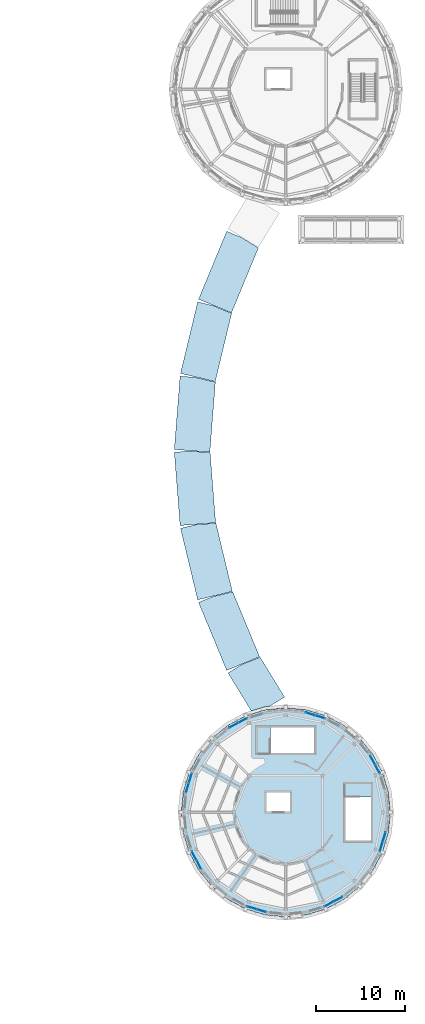
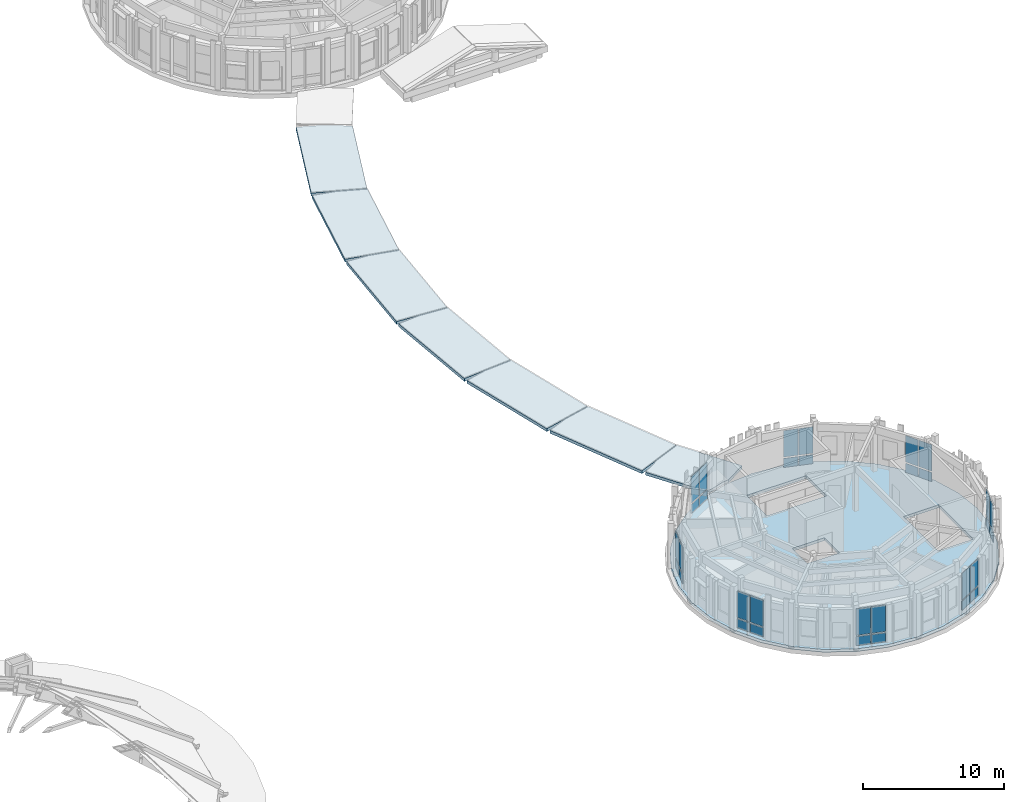
# One storey, part 24 of 58: 32 plates, 8 slabs, 8 elements without a shape of their own.
"""IFC4 building model written with IfcOpenShell, lengths in metres."""

import ifcopenshell
import ifcopenshell.guid

model = None  # the IFC model being written
_history = None  # IfcOwnerHistory: only IFC2X3 demands one
_inside = {}  # id of a spatial element -> (the spatial element, [elements in it])
_under = {}  # id of a project, library or spatial element -> (it, [spatial elements below it])
_declared = {}  # id of a project -> (the project, [libraries it declares])
_typed = {}  # id of a type object -> (the type object, [elements of that type])
_made_of = {}  # id of a material, layer set ... -> (it, [elements and type objects made of it])


def new_model(schema):
    """Start an empty IFC model of exactly this schema.

    Asked for "IFC4X3", IfcOpenShell would pick the latest addendum, in which some entities
    have other attributes; the version numbers below select the first issue.
    IFC2X3 requires an IfcOwnerHistory on every rooted entity: one is made here for all.
    """
    global model, _history
    if schema == "IFC4X3":
        model = ifcopenshell.file(schema_version=(4, 3, 0, 0))
    else:
        model = ifcopenshell.file(schema=schema)
    _inside.clear()
    _under.clear()
    _declared.clear()
    _typed.clear()
    _made_of.clear()
    _history = None
    if model.schema == "IFC2X3":
        org = make("IfcOrganization", Name="unknown")
        user = make(
            "IfcPersonAndOrganization",
            ThePerson=make("IfcPerson", FamilyName="unknown"),
            TheOrganization=org,
        )
        app = make(
            "IfcApplication",
            ApplicationDeveloper=org,
            Version="unknown",
            ApplicationFullName="unknown",
            ApplicationIdentifier="unknown",
        )
        _history = make(
            "IfcOwnerHistory",
            OwningUser=user,
            OwningApplication=app,
            ChangeAction="ADDED",
            CreationDate=0,
        )
    return model


def make(cls, **values):
    """One entity of the class cls with the attributes given. An attribute that is None is left unset."""
    return model.create_entity(
        cls, **{name: value for name, value in values.items() if value is not None}
    )


def rooted(cls, **values):
    """An entity with a GlobalId (a new one), such as an element, a storey or a relation."""
    return make(cls, GlobalId=ifcopenshell.guid.new(), OwnerHistory=_history, **values)


def si_unit(unit_type, name, prefix=None):
    """IfcSIUnit, for example si_unit("LENGTHUNIT", "METRE", prefix="MILLI")."""
    return make("IfcSIUnit", UnitType=unit_type, Prefix=prefix, Name=name)


def assignment(units):
    """IfcUnitAssignment: the units of a project."""
    return None if units is None else make("IfcUnitAssignment", Units=units)


def point(xyz):
    """IfcCartesianPoint."""
    return None if xyz is None else make("IfcCartesianPoint", Coordinates=xyz)


def direction(xyz):
    """IfcDirection."""
    return None if xyz is None else make("IfcDirection", DirectionRatios=xyz)


def frame(location, z_axis=None, x_axis=None):
    """IfcAxis2Placement3D, a coordinate frame: its origin and axes. An axis left out is left unset."""
    return make(
        "IfcAxis2Placement3D",
        Location=point(location),
        Axis=direction(z_axis),
        RefDirection=direction(x_axis),
    )


def frame_2d(location, x_axis=None):
    """IfcAxis2Placement2D, a coordinate frame in the plane: its origin and x axis."""
    return make(
        "IfcAxis2Placement2D", Location=point(location), RefDirection=direction(x_axis)
    )


def origin():
    """The frame at (0, 0, 0) with its axes left unset."""
    return frame((0.0, 0.0, 0.0))


def origin_2d():
    """The frame at (0, 0) in the plane with its x axis left unset."""
    return frame_2d((0.0, 0.0))


def place(relative_to, where):
    """IfcLocalPlacement: puts the frame where relative to a parent placement (None: the world)."""
    return make(
        "IfcLocalPlacement", PlacementRelTo=relative_to, RelativePlacement=where
    )


def context(
    kind, dimensions, precision=None, world=None, true_north=None, identifier=None
):
    """IfcGeometricRepresentationContext, for example the 3D "Model" context."""
    return make(
        "IfcGeometricRepresentationContext",
        ContextIdentifier=identifier,
        ContextType=kind,
        CoordinateSpaceDimension=dimensions,
        Precision=precision,
        WorldCoordinateSystem=world,
        TrueNorth=true_north,
    )


def subcontext(parent, identifier, kind, view, scale=None):
    """IfcGeometricRepresentationSubContext, for example "Body" below "Model"."""
    return make(
        "IfcGeometricRepresentationSubContext",
        ContextIdentifier=identifier,
        ContextType=kind,
        ParentContext=parent,
        TargetScale=scale,
        TargetView=view,
    )


def project(units=None, contexts=None):
    """IfcProject with its units and contexts."""
    return rooted(
        "IfcProject",
        Name="project",
        RepresentationContexts=contexts,
        UnitsInContext=assignment(units),
    )


def spatial(cls, under=None, at=None, **own):
    """A site, building, storey or space (cls), placed at a placement, below another one or the project."""
    s = rooted(cls, ObjectPlacement=at, **own)
    if under is not None:
        _under.setdefault(under.id(), (under, []))[1].append(s)
    return s


def polyline(points):
    """IfcPolyline through the points."""
    return make("IfcPolyline", Points=[point(p) for p in points])


def profile(cls, at=None, kind="AREA", **sizes):
    """A parametric profile (cls). Its sizes go by their IFC names, for example OverallWidth=200.0."""
    return make(cls, ProfileType=kind, Position=at, **sizes)


def rectangle(**sizes):
    """IfcRectangleProfileDef."""
    return profile("IfcRectangleProfileDef", **sizes)


def outline(outer, holes=None, kind="AREA"):
    """IfcArbitraryClosedProfileDef: a profile drawn as a closed curve; with holes, ...WithVoids."""
    if holes is None:
        return make("IfcArbitraryClosedProfileDef", ProfileType=kind, OuterCurve=outer)
    return make(
        "IfcArbitraryProfileDefWithVoids",
        ProfileType=kind,
        OuterCurve=outer,
        InnerCurves=holes,
    )


def extrude(swept, where, along, depth):
    """IfcExtrudedAreaSolid: the profile swept, set in the frame where, extruded along a direction by depth."""
    return make(
        "IfcExtrudedAreaSolid",
        SweptArea=swept,
        Position=where,
        ExtrudedDirection=direction(along),
        Depth=depth,
    )


def shape(context_of_items, identifier, shape_type, items):
    """IfcShapeRepresentation: the items that make up one representation, for example the "Body"."""
    return make(
        "IfcShapeRepresentation",
        ContextOfItems=context_of_items,
        RepresentationIdentifier=identifier,
        RepresentationType=shape_type,
        Items=items,
    )


def material(Name=None, Category=None):
    """IfcMaterial."""
    return make("IfcMaterial", Name=Name, Category=Category)


def layer(
    of_material, thickness, ventilated=None, Name=None, Category=None, Priority=None
):
    """IfcMaterialLayer: one layer of a wall or slab, of a material (None: an air gap)."""
    return make(
        "IfcMaterialLayer",
        Material=of_material,
        LayerThickness=thickness,
        IsVentilated=ventilated,
        Name=Name,
        Category=Category,
        Priority=Priority,
    )


def layer_set(layers, Name=None):
    """IfcMaterialLayerSet."""
    return make("IfcMaterialLayerSet", MaterialLayers=layers, LayerSetName=Name)


def made_of(thing, what):
    """Note that an element or type object is made of a material, layer set ...; save() writes the relation."""
    if what is not None:
        _made_of.setdefault(what.id(), (what, []))[1].append(thing)
    return thing


def type_object(cls, material=None, **own):
    """A type object (cls), such as IfcWallType, which elements share."""
    return made_of(rooted(cls, **own), material)


def element(
    cls,
    number,
    at=None,
    inside=None,
    cuts=None,
    type_object=None,
    material=None,
    context=None,
    identifier="Body",
    shape_type=None,
    held_by="IfcProductDefinitionShape",
    body=None,
    shapes=None,
    **own,
):
    """One element of the class cls, such as IfcWall. Its Tag is "e" and its number.

    at: its placement. inside: the storey or other place that contains it. cuts: it is an
    opening in that element (IfcRelVoidsElement). A single representation is given by context,
    identifier, shape_type and body (its items); several are given by shapes. held_by: the class
    of the entity that holds the representations. save() writes the other relations.
    """
    e = rooted(cls, Tag="e%d" % number, ObjectPlacement=at, **own)
    if body is not None:
        shapes = [shape(context, identifier, shape_type, body)]
    if shapes is not None:
        e.Representation = make(held_by, Representations=shapes)
    if inside is not None:
        _inside.setdefault(inside.id(), (inside, []))[1].append(e)
    if cuts is not None:
        rooted(
            "IfcRelVoidsElement", RelatingBuildingElement=cuts, RelatedOpeningElement=e
        )
    if type_object is not None:
        _typed.setdefault(type_object.id(), (type_object, []))[1].append(e)
    return made_of(e, material)


def aggregate(whole, parts):
    """IfcRelAggregates: a whole, such as a stair, and the parts it consists of."""
    return rooted("IfcRelAggregates", RelatingObject=whole, RelatedObjects=parts)


def save(model, path):
    """Write the relations noted so far, then the file.

    IfcRelAggregates (storeys below a building ...), IfcRelContainedInSpatialStructure (elements
    in a storey), IfcRelDefinesByType, IfcRelAssociatesMaterial and IfcRelDeclares: one each for
    every whole, place, type object, material and project.
    """
    for whole, parts in _under.values():
        aggregate(whole, parts)
    for where, things in _inside.values():
        rooted(
            "IfcRelContainedInSpatialStructure",
            RelatedElements=things,
            RelatingStructure=where,
        )
    for kind, things in _typed.values():
        rooted("IfcRelDefinesByType", RelatedObjects=things, RelatingType=kind)
    for what, things in _made_of.values():
        rooted("IfcRelAssociatesMaterial", RelatedObjects=things, RelatingMaterial=what)
    for by, libraries in _declared.values():
        rooted("IfcRelDeclares", RelatingContext=by, RelatedDefinitions=libraries)
    model.write(path)


model = new_model("IFC4")

# Units and contexts
model_context = context("Model", 3, precision=1e-05, world=origin(), true_north=direction((0.0, 1.0)))
body_context = subcontext(model_context, "Body", "Model", "MODEL_VIEW")
ifc_project = project(units=[si_unit("LENGTHUNIT", "METRE"), si_unit("AREAUNIT", "SQUARE_METRE"), si_unit("VOLUMEUNIT", "CUBIC_METRE"), si_unit("PLANEANGLEUNIT", "RADIAN"), si_unit("MASSUNIT", "GRAM", prefix="KILO")], contexts=[model_context])

# Site, building, storey
site_placement = place(None, origin())
site = spatial("IfcSite", under=ifc_project, at=site_placement, CompositionType="ELEMENT")
building_placement = place(site_placement, origin())
building = spatial("IfcBuilding", under=site, at=building_placement, Name="Aldenvaro Health Centre", CompositionType="ELEMENT")
storey_placement = place(building_placement, frame((0.0, 0.0, 8.75)))
storey = spatial("IfcBuildingStorey", under=building, at=storey_placement, Name="L02", CompositionType="ELEMENT", Elevation=8.75)

# Curtain wall, plates
ifc_material_1 = material(Name="Anodised Aluminium 6063-T6", Category="aluminium")
ifc_layer_1 = layer(ifc_material_1, 0.195068359375, Name="Anodised Aluminium 6063-T6", Category="aluminium")
ifc_layer_set_1 = layer_set([ifc_layer_1], Name="Anodised Aluminium 6063-T6")
curtain_wall_type = type_object("IfcCurtainWallType", Name="CW-CLN-02", PredefinedType="NOTDEFINED", material=ifc_layer_set_1)
curtain_wall_1_placement = place(storey_placement, origin())
curtain_wall_1 = element("IfcCurtainWall", 1, at=curtain_wall_1_placement, inside=storey, type_object=curtain_wall_type, Name="D6 L02 curtain wall bay 02", PredefinedType="NOTDEFINED")
ifc_material_2 = material(Name="Low-E Double Glazing IGU", Category="glass")
ifc_layer_2 = layer(ifc_material_2, 0.028076171875, Name="Low-E Double Glazing IGU", Category="glass")
ifc_layer_set_2 = layer_set([ifc_layer_2], Name="Low-E Double Glazing IGU")
plate_type_1 = type_object("IfcPlateType", Name="CWP-IGU-28", PredefinedType="CURTAIN_PANEL", material=ifc_layer_set_2)
plate_1_placement = place(storey_placement, frame((165.51904296875, 15.740966796875, 0.9599609375), z_axis=(0.0, 0.0, 1.0), x_axis=(-0.290342622208, -0.956922756407, 0.0)))
plate_1 = element("IfcPlate", 2, at=plate_1_placement, type_object=plate_type_1, Name="D6 L02 curtain wall bay 02 vision glazing 1", PredefinedType="CURTAIN_PANEL", context=body_context, shape_type="SweptSolid", body=[
    extrude(rectangle(XDim=1.048095703125, YDim=0.028076171875, at=origin_2d()), origin(), (0.0, 0.0, 1.0), 2.2939453125),
])
plate_2_placement = place(storey_placement, frame((165.194091796875, 14.672119140625, 0.9599609375), z_axis=(0.0, 0.0, 1.0), x_axis=(-0.290342622208, -0.956922756407, 0.0)))
plate_2 = element("IfcPlate", 3, at=plate_2_placement, type_object=plate_type_1, Name="D6 L02 curtain wall bay 02 vision glazing 2", PredefinedType="CURTAIN_PANEL", context=body_context, shape_type="SweptSolid", body=[
    extrude(rectangle(XDim=1.048095703125, YDim=0.028076171875, at=origin_2d()), origin(), (0.0, 0.0, 1.0), 2.2939453125),
])

curtain_wall_2_placement = place(storey_placement, origin())
curtain_wall_2 = element("IfcCurtainWall", 4, at=curtain_wall_2_placement, inside=storey, type_object=curtain_wall_type, Name="D6 L02 curtain wall bay 06", PredefinedType="NOTDEFINED")
plate_3_placement = place(storey_placement, frame((160.341064453125, 8.758056640625, 0.9599609375), z_axis=(0.0, 0.0, 1.0), x_axis=(-0.882018256263, -0.471215232797, 0.0)))
plate_3 = element("IfcPlate", 5, at=plate_3_placement, type_object=plate_type_1, Name="D6 L02 curtain wall bay 06 vision glazing 1", PredefinedType="CURTAIN_PANEL", context=body_context, shape_type="SweptSolid", body=[
    extrude(rectangle(XDim=1.047119140625, YDim=0.028076171875, at=origin_2d()), origin(), (0.0, 0.0, 1.0), 2.2939453125),
])
plate_4_placement = place(storey_placement, frame((159.35595703125, 8.23095703125, 0.9599609375), z_axis=(0.0, 0.0, 1.0), x_axis=(-0.882018256263, -0.471215232797, 0.0)))
plate_4 = element("IfcPlate", 6, at=plate_4_placement, type_object=plate_type_1, Name="D6 L02 curtain wall bay 06 vision glazing 2", PredefinedType="CURTAIN_PANEL", context=body_context, shape_type="SweptSolid", body=[
    extrude(rectangle(XDim=1.047119140625, YDim=0.028076171875, at=origin_2d()), origin(), (0.0, 0.0, 1.0), 2.2939453125),
])

curtain_wall_3_placement = place(storey_placement, origin())
curtain_wall_3 = element("IfcCurtainWall", 7, at=curtain_wall_3_placement, inside=storey, type_object=curtain_wall_type, Name="D6 L02 curtain wall bay 10", PredefinedType="NOTDEFINED")
plate_5_placement = place(storey_placement, frame((151.740966796875, 7.48095703125, 0.9599609375), z_axis=(0.0, 0.0, 1.0), x_axis=(-0.956922756407, 0.290342622208, 0.0)))
plate_5 = element("IfcPlate", 8, at=plate_5_placement, type_object=plate_type_1, Name="D6 L02 curtain wall bay 10 vision glazing 1", PredefinedType="CURTAIN_PANEL", context=body_context, shape_type="SweptSolid", body=[
    extrude(rectangle(XDim=1.048095703125, YDim=0.028076171875, at=origin_2d()), origin(), (0.0, 0.0, 1.0), 2.2939453125),
])
plate_6_placement = place(storey_placement, frame((150.672119140625, 7.805908203125, 0.9599609375), z_axis=(0.0, 0.0, 1.0), x_axis=(-0.956922756407, 0.290342622208, 0.0)))
plate_6 = element("IfcPlate", 9, at=plate_6_placement, type_object=plate_type_1, Name="D6 L02 curtain wall bay 10 vision glazing 2", PredefinedType="CURTAIN_PANEL", context=body_context, shape_type="SweptSolid", body=[
    extrude(rectangle(XDim=1.048095703125, YDim=0.028076171875, at=origin_2d()), origin(), (0.0, 0.0, 1.0), 2.2939453125),
])

curtain_wall_4_placement = place(storey_placement, origin())
curtain_wall_4 = element("IfcCurtainWall", 10, at=curtain_wall_4_placement, inside=storey, type_object=curtain_wall_type, Name="D6 L02 curtain wall bay 14", PredefinedType="NOTDEFINED")
plate_7_placement = place(storey_placement, frame((144.758056640625, 12.658935546875, 0.9599609375), z_axis=(0.0, 0.0, 1.0), x_axis=(-0.471215232797, 0.882018256263, 0.0)))
plate_7 = element("IfcPlate", 11, at=plate_7_placement, type_object=plate_type_1, Name="D6 L02 curtain wall bay 14 vision glazing 1", PredefinedType="CURTAIN_PANEL", context=body_context, shape_type="SweptSolid", body=[
    extrude(rectangle(XDim=1.047119140625, YDim=0.028076171875, at=origin_2d()), origin(), (0.0, 0.0, 1.0), 2.2939453125),
])
plate_8_placement = place(storey_placement, frame((144.23095703125, 13.64404296875, 0.9599609375), z_axis=(0.0, 0.0, 1.0), x_axis=(-0.471215232797, 0.882018256263, 0.0)))
plate_8 = element("IfcPlate", 12, at=plate_8_placement, type_object=plate_type_1, Name="D6 L02 curtain wall bay 14 vision glazing 2", PredefinedType="CURTAIN_PANEL", context=body_context, shape_type="SweptSolid", body=[
    extrude(rectangle(XDim=1.047119140625, YDim=0.028076171875, at=origin_2d()), origin(), (0.0, 0.0, 1.0), 2.2939453125),
])

curtain_wall_5_placement = place(storey_placement, origin())
curtain_wall_5 = element("IfcCurtainWall", 13, at=curtain_wall_5_placement, inside=storey, type_object=curtain_wall_type, Name="D6 L02 curtain wall bay 18", PredefinedType="NOTDEFINED")
plate_9_placement = place(storey_placement, frame((143.48095703125, 21.259033203125, 0.9599609375), z_axis=(0.0, 0.0, 1.0), x_axis=(0.290342622208, 0.956922756407, 0.0)))
plate_9 = element("IfcPlate", 14, at=plate_9_placement, type_object=plate_type_1, Name="D6 L02 curtain wall bay 18 vision glazing 1", PredefinedType="CURTAIN_PANEL", context=body_context, shape_type="SweptSolid", body=[
    extrude(rectangle(XDim=1.048095703125, YDim=0.028076171875, at=origin_2d()), origin(), (0.0, 0.0, 1.0), 2.2939453125),
])
plate_10_placement = place(storey_placement, frame((143.805908203125, 22.327880859375, 0.9599609375), z_axis=(0.0, 0.0, 1.0), x_axis=(0.290342622208, 0.956922756407, 0.0)))
plate_10 = element("IfcPlate", 15, at=plate_10_placement, type_object=plate_type_1, Name="D6 L02 curtain wall bay 18 vision glazing 2", PredefinedType="CURTAIN_PANEL", context=body_context, shape_type="SweptSolid", body=[
    extrude(rectangle(XDim=1.048095703125, YDim=0.028076171875, at=origin_2d()), origin(), (0.0, 0.0, 1.0), 2.2939453125),
])

curtain_wall_6_placement = place(storey_placement, origin())
curtain_wall_6 = element("IfcCurtainWall", 16, at=curtain_wall_6_placement, inside=storey, type_object=curtain_wall_type, Name="D6 L02 curtain wall bay 22", PredefinedType="NOTDEFINED")
plate_11_placement = place(storey_placement, frame((148.658935546875, 28.241943359375, 0.9599609375), z_axis=(0.0, 0.0, 1.0), x_axis=(0.882018256263, 0.471215232797, 0.0)))
plate_11 = element("IfcPlate", 17, at=plate_11_placement, type_object=plate_type_1, Name="D6 L02 curtain wall bay 22 vision glazing 1", PredefinedType="CURTAIN_PANEL", context=body_context, shape_type="SweptSolid", body=[
    extrude(rectangle(XDim=1.047119140625, YDim=0.028076171875, at=origin_2d()), origin(), (0.0, 0.0, 1.0), 2.2939453125),
])
plate_12_placement = place(storey_placement, frame((149.64404296875, 28.76904296875, 0.9599609375), z_axis=(0.0, 0.0, 1.0), x_axis=(0.882018256263, 0.471215232797, 0.0)))
plate_12 = element("IfcPlate", 18, at=plate_12_placement, type_object=plate_type_1, Name="D6 L02 curtain wall bay 22 vision glazing 2", PredefinedType="CURTAIN_PANEL", context=body_context, shape_type="SweptSolid", body=[
    extrude(rectangle(XDim=1.047119140625, YDim=0.028076171875, at=origin_2d()), origin(), (0.0, 0.0, 1.0), 2.2939453125),
])

curtain_wall_7_placement = place(storey_placement, origin())
curtain_wall_7 = element("IfcCurtainWall", 19, at=curtain_wall_7_placement, inside=storey, type_object=curtain_wall_type, Name="D6 L02 curtain wall bay 26", PredefinedType="NOTDEFINED")
plate_13_placement = place(storey_placement, frame((157.259033203125, 29.51904296875, 0.9599609375), z_axis=(0.0, 0.0, 1.0), x_axis=(0.956922756407, -0.290342622208, 0.0)))
plate_13 = element("IfcPlate", 20, at=plate_13_placement, type_object=plate_type_1, Name="D6 L02 curtain wall bay 26 vision glazing 1", PredefinedType="CURTAIN_PANEL", context=body_context, shape_type="SweptSolid", body=[
    extrude(rectangle(XDim=1.048095703125, YDim=0.028076171875, at=origin_2d()), origin(), (0.0, 0.0, 1.0), 2.2939453125),
])
plate_14_placement = place(storey_placement, frame((158.327880859375, 29.194091796875, 0.9599609375), z_axis=(0.0, 0.0, 1.0), x_axis=(0.956922756407, -0.290342622208, 0.0)))
plate_14 = element("IfcPlate", 21, at=plate_14_placement, type_object=plate_type_1, Name="D6 L02 curtain wall bay 26 vision glazing 2", PredefinedType="CURTAIN_PANEL", context=body_context, shape_type="SweptSolid", body=[
    extrude(rectangle(XDim=1.048095703125, YDim=0.028076171875, at=origin_2d()), origin(), (0.0, 0.0, 1.0), 2.2939453125),
])

curtain_wall_8_placement = place(storey_placement, origin())
curtain_wall_8 = element("IfcCurtainWall", 22, at=curtain_wall_8_placement, inside=storey, type_object=curtain_wall_type, Name="D6 L02 curtain wall bay 30", PredefinedType="NOTDEFINED")
plate_15_placement = place(storey_placement, frame((164.241943359375, 24.341064453125, 0.9599609375), z_axis=(0.0, 0.0, 1.0), x_axis=(0.471215232797, -0.882018256263, 0.0)))
plate_15 = element("IfcPlate", 23, at=plate_15_placement, type_object=plate_type_1, Name="D6 L02 curtain wall bay 30 vision glazing 1", PredefinedType="CURTAIN_PANEL", context=body_context, shape_type="SweptSolid", body=[
    extrude(rectangle(XDim=1.047119140625, YDim=0.028076171875, at=origin_2d()), origin(), (0.0, 0.0, 1.0), 2.2939453125),
])
plate_16_placement = place(storey_placement, frame((164.76904296875, 23.35595703125, 0.9599609375), z_axis=(0.0, 0.0, 1.0), x_axis=(0.471215232797, -0.882018256263, 0.0)))
plate_16 = element("IfcPlate", 24, at=plate_16_placement, type_object=plate_type_1, Name="D6 L02 curtain wall bay 30 vision glazing 2", PredefinedType="CURTAIN_PANEL", context=body_context, shape_type="SweptSolid", body=[
    extrude(rectangle(XDim=1.047119140625, YDim=0.028076171875, at=origin_2d()), origin(), (0.0, 0.0, 1.0), 2.2939453125),
])

# Plate
ifc_material_3 = material(Name="Insulated Aluminium Spandrel", Category="aluminium")
ifc_layer_3 = layer(ifc_material_3, 0.035888671875, Name="Insulated Aluminium Spandrel", Category="aluminium")
ifc_layer_set_3 = layer_set([ifc_layer_3], Name="Insulated Aluminium Spandrel")
plate_type_2 = type_object("IfcPlateType", Name="CWP-SPN-36", PredefinedType="CURTAIN_PANEL", material=ifc_layer_set_3)
plate_17_placement = place(storey_placement, frame((165.51904296875, 15.740966796875, 0.06005859375), z_axis=(0.0, 0.0, 1.0), x_axis=(-0.290342622208, -0.956922756407, 0.0)))
plate_17 = element("IfcPlate", 25, at=plate_17_placement, type_object=plate_type_2, Name="D6 L02 curtain wall bay 02 spandrel panel 1", PredefinedType="CURTAIN_PANEL", context=body_context, shape_type="SweptSolid", body=[
    extrude(rectangle(XDim=1.048095703125, YDim=0.035888671875, at=origin_2d()), origin(), (0.0, 0.0, 1.0), 0.780029296875),
])

plate_18_placement = place(storey_placement, frame((165.194091796875, 14.672119140625, 0.06005859375), z_axis=(0.0, 0.0, 1.0), x_axis=(-0.290342622208, -0.956922756407, 0.0)))
plate_18 = element("IfcPlate", 26, at=plate_18_placement, type_object=plate_type_2, Name="D6 L02 curtain wall bay 02 spandrel panel 2", PredefinedType="CURTAIN_PANEL", context=body_context, shape_type="SweptSolid", body=[
    extrude(rectangle(XDim=1.048095703125, YDim=0.035888671875, at=origin_2d()), origin(), (0.0, 0.0, 1.0), 0.780029296875),
])

aggregate(curtain_wall_1, [plate_17, plate_1, plate_18, plate_2])

plate_19_placement = place(storey_placement, frame((160.341064453125, 8.758056640625, 0.06005859375), z_axis=(0.0, 0.0, 1.0), x_axis=(-0.882018256263, -0.471215232797, 0.0)))
plate_19 = element("IfcPlate", 27, at=plate_19_placement, type_object=plate_type_2, Name="D6 L02 curtain wall bay 06 spandrel panel 1", PredefinedType="CURTAIN_PANEL", context=body_context, shape_type="SweptSolid", body=[
    extrude(rectangle(XDim=1.047119140625, YDim=0.035888671875, at=origin_2d()), origin(), (0.0, 0.0, 1.0), 0.780029296875),
])

plate_20_placement = place(storey_placement, frame((159.35595703125, 8.23095703125, 0.06005859375), z_axis=(0.0, 0.0, 1.0), x_axis=(-0.882018256263, -0.471215232797, 0.0)))
plate_20 = element("IfcPlate", 28, at=plate_20_placement, type_object=plate_type_2, Name="D6 L02 curtain wall bay 06 spandrel panel 2", PredefinedType="CURTAIN_PANEL", context=body_context, shape_type="SweptSolid", body=[
    extrude(rectangle(XDim=1.047119140625, YDim=0.035888671875, at=origin_2d()), origin(), (0.0, 0.0, 1.0), 0.780029296875),
])

aggregate(curtain_wall_2, [plate_19, plate_3, plate_20, plate_4])

plate_21_placement = place(storey_placement, frame((151.740966796875, 7.48095703125, 0.06005859375), z_axis=(0.0, 0.0, 1.0), x_axis=(-0.956922756407, 0.290342622208, 0.0)))
plate_21 = element("IfcPlate", 29, at=plate_21_placement, type_object=plate_type_2, Name="D6 L02 curtain wall bay 10 spandrel panel 1", PredefinedType="CURTAIN_PANEL", context=body_context, shape_type="SweptSolid", body=[
    extrude(rectangle(XDim=1.048095703125, YDim=0.035888671875, at=origin_2d()), origin(), (0.0, 0.0, 1.0), 0.780029296875),
])

plate_22_placement = place(storey_placement, frame((150.672119140625, 7.805908203125, 0.06005859375), z_axis=(0.0, 0.0, 1.0), x_axis=(-0.956922756407, 0.290342622208, 0.0)))
plate_22 = element("IfcPlate", 30, at=plate_22_placement, type_object=plate_type_2, Name="D6 L02 curtain wall bay 10 spandrel panel 2", PredefinedType="CURTAIN_PANEL", context=body_context, shape_type="SweptSolid", body=[
    extrude(rectangle(XDim=1.048095703125, YDim=0.035888671875, at=origin_2d()), origin(), (0.0, 0.0, 1.0), 0.780029296875),
])

aggregate(curtain_wall_3, [plate_21, plate_5, plate_22, plate_6])

plate_23_placement = place(storey_placement, frame((144.758056640625, 12.658935546875, 0.06005859375), z_axis=(0.0, 0.0, 1.0), x_axis=(-0.471215232797, 0.882018256263, 0.0)))
plate_23 = element("IfcPlate", 31, at=plate_23_placement, type_object=plate_type_2, Name="D6 L02 curtain wall bay 14 spandrel panel 1", PredefinedType="CURTAIN_PANEL", context=body_context, shape_type="SweptSolid", body=[
    extrude(rectangle(XDim=1.047119140625, YDim=0.035888671875, at=origin_2d()), origin(), (0.0, 0.0, 1.0), 0.780029296875),
])

plate_24_placement = place(storey_placement, frame((144.23095703125, 13.64404296875, 0.06005859375), z_axis=(0.0, 0.0, 1.0), x_axis=(-0.471215232797, 0.882018256263, 0.0)))
plate_24 = element("IfcPlate", 32, at=plate_24_placement, type_object=plate_type_2, Name="D6 L02 curtain wall bay 14 spandrel panel 2", PredefinedType="CURTAIN_PANEL", context=body_context, shape_type="SweptSolid", body=[
    extrude(rectangle(XDim=1.047119140625, YDim=0.035888671875, at=origin_2d()), origin(), (0.0, 0.0, 1.0), 0.780029296875),
])

aggregate(curtain_wall_4, [plate_23, plate_7, plate_24, plate_8])

plate_25_placement = place(storey_placement, frame((143.48095703125, 21.259033203125, 0.06005859375), z_axis=(0.0, 0.0, 1.0), x_axis=(0.290342622208, 0.956922756407, 0.0)))
plate_25 = element("IfcPlate", 33, at=plate_25_placement, type_object=plate_type_2, Name="D6 L02 curtain wall bay 18 spandrel panel 1", PredefinedType="CURTAIN_PANEL", context=body_context, shape_type="SweptSolid", body=[
    extrude(rectangle(XDim=1.048095703125, YDim=0.035888671875, at=origin_2d()), origin(), (0.0, 0.0, 1.0), 0.780029296875),
])

plate_26_placement = place(storey_placement, frame((143.805908203125, 22.327880859375, 0.06005859375), z_axis=(0.0, 0.0, 1.0), x_axis=(0.290342622208, 0.956922756407, 0.0)))
plate_26 = element("IfcPlate", 34, at=plate_26_placement, type_object=plate_type_2, Name="D6 L02 curtain wall bay 18 spandrel panel 2", PredefinedType="CURTAIN_PANEL", context=body_context, shape_type="SweptSolid", body=[
    extrude(rectangle(XDim=1.048095703125, YDim=0.035888671875, at=origin_2d()), origin(), (0.0, 0.0, 1.0), 0.780029296875),
])

aggregate(curtain_wall_5, [plate_25, plate_9, plate_26, plate_10])

plate_27_placement = place(storey_placement, frame((148.658935546875, 28.241943359375, 0.06005859375), z_axis=(0.0, 0.0, 1.0), x_axis=(0.882018256263, 0.471215232797, 0.0)))
plate_27 = element("IfcPlate", 35, at=plate_27_placement, type_object=plate_type_2, Name="D6 L02 curtain wall bay 22 spandrel panel 1", PredefinedType="CURTAIN_PANEL", context=body_context, shape_type="SweptSolid", body=[
    extrude(rectangle(XDim=1.047119140625, YDim=0.035888671875, at=origin_2d()), origin(), (0.0, 0.0, 1.0), 0.780029296875),
])

plate_28_placement = place(storey_placement, frame((149.64404296875, 28.76904296875, 0.06005859375), z_axis=(0.0, 0.0, 1.0), x_axis=(0.882018256263, 0.471215232797, 0.0)))
plate_28 = element("IfcPlate", 36, at=plate_28_placement, type_object=plate_type_2, Name="D6 L02 curtain wall bay 22 spandrel panel 2", PredefinedType="CURTAIN_PANEL", context=body_context, shape_type="SweptSolid", body=[
    extrude(rectangle(XDim=1.047119140625, YDim=0.035888671875, at=origin_2d()), origin(), (0.0, 0.0, 1.0), 0.780029296875),
])

aggregate(curtain_wall_6, [plate_27, plate_11, plate_28, plate_12])

plate_29_placement = place(storey_placement, frame((157.259033203125, 29.51904296875, 0.06005859375), z_axis=(0.0, 0.0, 1.0), x_axis=(0.956922756407, -0.290342622208, 0.0)))
plate_29 = element("IfcPlate", 37, at=plate_29_placement, type_object=plate_type_2, Name="D6 L02 curtain wall bay 26 spandrel panel 1", PredefinedType="CURTAIN_PANEL", context=body_context, shape_type="SweptSolid", body=[
    extrude(rectangle(XDim=1.048095703125, YDim=0.035888671875, at=origin_2d()), origin(), (0.0, 0.0, 1.0), 0.780029296875),
])

plate_30_placement = place(storey_placement, frame((158.327880859375, 29.194091796875, 0.06005859375), z_axis=(0.0, 0.0, 1.0), x_axis=(0.956922756407, -0.290342622208, 0.0)))
plate_30 = element("IfcPlate", 38, at=plate_30_placement, type_object=plate_type_2, Name="D6 L02 curtain wall bay 26 spandrel panel 2", PredefinedType="CURTAIN_PANEL", context=body_context, shape_type="SweptSolid", body=[
    extrude(rectangle(XDim=1.048095703125, YDim=0.035888671875, at=origin_2d()), origin(), (0.0, 0.0, 1.0), 0.780029296875),
])

aggregate(curtain_wall_7, [plate_29, plate_13, plate_30, plate_14])

plate_31_placement = place(storey_placement, frame((164.241943359375, 24.341064453125, 0.06005859375), z_axis=(0.0, 0.0, 1.0), x_axis=(0.471215232797, -0.882018256263, 0.0)))
plate_31 = element("IfcPlate", 39, at=plate_31_placement, type_object=plate_type_2, Name="D6 L02 curtain wall bay 30 spandrel panel 1", PredefinedType="CURTAIN_PANEL", context=body_context, shape_type="SweptSolid", body=[
    extrude(rectangle(XDim=1.047119140625, YDim=0.035888671875, at=origin_2d()), origin(), (0.0, 0.0, 1.0), 0.780029296875),
])

plate_32_placement = place(storey_placement, frame((164.76904296875, 23.35595703125, 0.06005859375), z_axis=(0.0, 0.0, 1.0), x_axis=(0.471215232797, -0.882018256263, 0.0)))
plate_32 = element("IfcPlate", 40, at=plate_32_placement, type_object=plate_type_2, Name="D6 L02 curtain wall bay 30 spandrel panel 2", PredefinedType="CURTAIN_PANEL", context=body_context, shape_type="SweptSolid", body=[
    extrude(rectangle(XDim=1.047119140625, YDim=0.035888671875, at=origin_2d()), origin(), (0.0, 0.0, 1.0), 0.780029296875),
])

aggregate(curtain_wall_8, [plate_31, plate_15, plate_32, plate_16])

# Slabs
ifc_material_4 = material(Name="Cross-laminated timber CLT E1", Category="wood")
ifc_layer_4 = layer(ifc_material_4, 0.2451171875, Name="Cross-laminated timber CLT E1", Category="wood")
ifc_layer_set_4 = layer_set([ifc_layer_4], Name="Cross-laminated timber CLT E1")
slab_type_1 = type_object("IfcSlabType", Name="SLB-CLT-245", PredefinedType="FLOOR", material=ifc_layer_set_4)
slab_1_placement = place(storey_placement, frame((0.0, 0.0, -0.2451171875)))
element("IfcSlab", 41, at=slab_1_placement, inside=storey, type_object=slab_type_1, Name="D6 L02 floor slab", PredefinedType="FLOOR", context=body_context, shape_type="SweptSolid", body=[
    extrude(outline(polyline([(166.219970703125, 18.5), (165.9951171875, 20.785888671875), (165.327880859375, 22.985107421875), (164.2451171875, 25.010986328125), (162.787109375, 26.787109375), (161.010986328125, 28.2451171875), (158.985107421875, 29.327880859375), (156.785888671875, 29.9951171875), (154.5, 30.219970703125), (152.214111328125, 29.9951171875), (150.014892578125, 29.327880859375), (147.989013671875, 28.2451171875), (146.212890625, 26.787109375), (144.7548828125, 25.010986328125), (143.672119140625, 22.985107421875), (143.0048828125, 20.785888671875), (142.780029296875, 18.5), (143.0048828125, 16.214111328125), (143.672119140625, 14.014892578125), (144.7548828125, 11.989013671875), (146.212890625, 10.212890625), (147.989013671875, 8.7548828125), (150.014892578125, 7.672119140625), (152.214111328125, 7.0048828125), (154.5, 6.780029296875), (156.785888671875, 7.0048828125), (158.985107421875, 7.672119140625), (161.010986328125, 8.7548828125), (162.787109375, 10.212890625), (164.2451171875, 11.989013671875), (165.327880859375, 14.014892578125), (165.9951171875, 16.214111328125), (166.219970703125, 18.5)]), holes=[polyline([(161.14990234375, 20.199951171875), (161.14990234375, 15.300048828125), (164.050048828125, 15.300048828125), (164.050048828125, 20.199951171875), (161.14990234375, 20.199951171875)]), polyline([(152.800048828125, 25.14990234375), (157.699951171875, 25.14990234375), (157.699951171875, 28.050048828125), (152.800048828125, 28.050048828125), (152.800048828125, 25.14990234375)]), polyline([(152.324951171875, 18.574951171875), (154.97509765625, 18.574951171875), (154.97509765625, 20.72509765625), (152.324951171875, 20.72509765625), (152.324951171875, 18.574951171875)])]), origin(), (0.0, 0.0, 1.0), 0.2451171875),
])
ifc_material_5 = material(Name="Concrete f'c 40 MPa", Category="concrete")
ifc_layer_5 = layer(ifc_material_5, 0.25, Name="Concrete f'c 40 MPa", Category="concrete")
ifc_layer_set_5 = layer_set([ifc_layer_5], Name="Concrete f'c 40 MPa")
slab_type_2 = type_object("IfcSlabType", Name="SLB-ROOF-250", PredefinedType="ROOF", material=ifc_layer_set_5)
slab_2_placement = place(storey_placement, frame((0.0, 0.0, -0.25)))
element("IfcSlab", 42, at=slab_2_placement, inside=storey, type_object=slab_type_2, Name="East Curved Garden Colonnade Arc 2 roof slab", PredefinedType="ROOF", context=body_context, shape_type="SweptSolid", body=[
    extrude(outline(polyline([(148.41796875, 74.4580078125), (144.721923828125, 75.988037109375), (147.8740234375, 83.60009765625), (149.486083984375, 82.93310546875), (151.43310546875, 81.739013671875), (148.41796875, 74.4580078125)])), origin(), (0.0, 0.0, 1.0), 0.25),
])
slab_3_placement = place(storey_placement, frame((0.0, 0.0, -0.25)))
element("IfcSlab", 43, at=slab_3_placement, inside=storey, type_object=slab_type_2, Name="East Curved Garden Colonnade Arc 3 roof slab", PredefinedType="ROOF", context=body_context, shape_type="SweptSolid", body=[
    extrude(outline(polyline([(146.591064453125, 66.74609375), (142.700927734375, 67.679931640625), (144.625, 75.68994140625), (146.321044921875, 75.282958984375), (148.430908203125, 74.408935546875), (146.591064453125, 66.74609375)])), origin(), (0.0, 0.0, 1.0), 0.25),
])
slab_4_placement = place(storey_placement, frame((0.0, 0.0, -0.25)))
element("IfcSlab", 44, at=slab_4_placement, inside=storey, type_object=slab_type_2, Name="East Curved Garden Colonnade Arc 4 roof slab", PredefinedType="ROOF", context=body_context, shape_type="SweptSolid", body=[
    extrude(outline(polyline([(145.993896484375, 58.843017578125), (142.006103515625, 59.156982421875), (142.652099609375, 67.3701171875), (144.39111328125, 67.23291015625), (146.612060546875, 66.699951171875), (145.993896484375, 58.843017578125)])), origin(), (0.0, 0.0, 1.0), 0.25),
])
slab_5_placement = place(storey_placement, frame((0.0, 0.0, -0.25)))
element("IfcSlab", 45, at=slab_5_placement, inside=storey, type_object=slab_type_2, Name="East Curved Garden Colonnade Arc 5 roof slab", PredefinedType="ROOF", context=body_context, shape_type="SweptSolid", body=[
    extrude(outline(polyline([(146.639892578125, 50.944091796875), (142.652099609375, 50.6298828125), (142.006103515625, 58.843017578125), (143.7451171875, 58.97998046875), (146.02197265625, 58.801025390625), (146.639892578125, 50.944091796875)])), origin(), (0.0, 0.0, 1.0), 0.25),
])
slab_6_placement = place(storey_placement, frame((0.0, 0.0, -0.25)))
element("IfcSlab", 46, at=slab_6_placement, inside=storey, type_object=slab_type_2, Name="East Curved Garden Colonnade Arc 6 roof slab", PredefinedType="ROOF", context=body_context, shape_type="SweptSolid", body=[
    extrude(outline(polyline([(148.514892578125, 43.243896484375), (144.625, 42.31005859375), (142.700927734375, 50.320068359375), (144.39697265625, 50.72705078125), (146.674072265625, 50.906982421875), (148.514892578125, 43.243896484375)])), origin(), (0.0, 0.0, 1.0), 0.25),
])
slab_7_placement = place(storey_placement, frame((0.0, 0.0, -0.25)))
element("IfcSlab", 47, at=slab_7_placement, inside=storey, type_object=slab_type_2, Name="East Curved Garden Colonnade Arc 7 roof slab", PredefinedType="ROOF", context=body_context, shape_type="SweptSolid", body=[
    extrude(outline(polyline([(151.570068359375, 35.929931640625), (147.8740234375, 34.39990234375), (144.721923828125, 42.011962890625), (146.333984375, 42.678955078125), (148.553955078125, 43.2119140625), (151.570068359375, 35.929931640625)])), origin(), (0.0, 0.0, 1.0), 0.25),
])
slab_8_placement = place(storey_placement, frame((0.0, 0.0, -0.25)))
element("IfcSlab", 48, at=slab_8_placement, inside=storey, type_object=slab_type_2, Name="East Curved Garden Colonnade Arc 8 roof slab", PredefinedType="ROOF", context=body_context, shape_type="SweptSolid", body=[
    extrude(outline(polyline([(148.01708984375, 34.1201171875), (149.50390625, 35.031982421875), (151.614013671875, 35.905029296875), (154.366943359375, 31.4140625), (152.662109375, 30.368896484375), (152.14892578125, 30.318115234375), (150.62890625, 29.85693359375), (148.01708984375, 34.1201171875)])), origin(), (0.0, 0.0, 1.0), 0.25),
])

save(model, "model.ifc")
